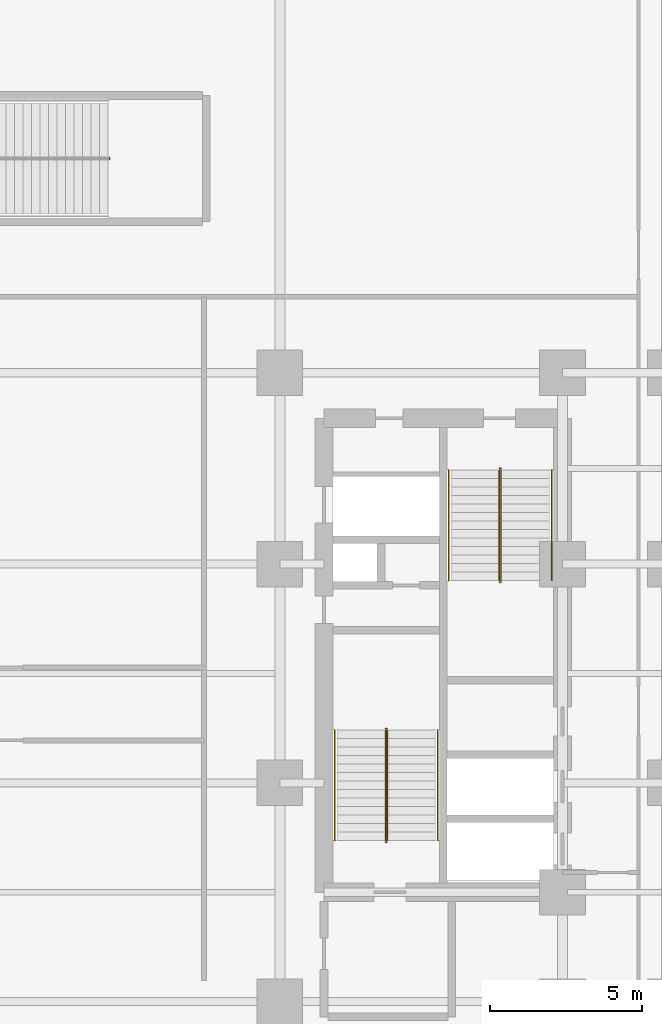
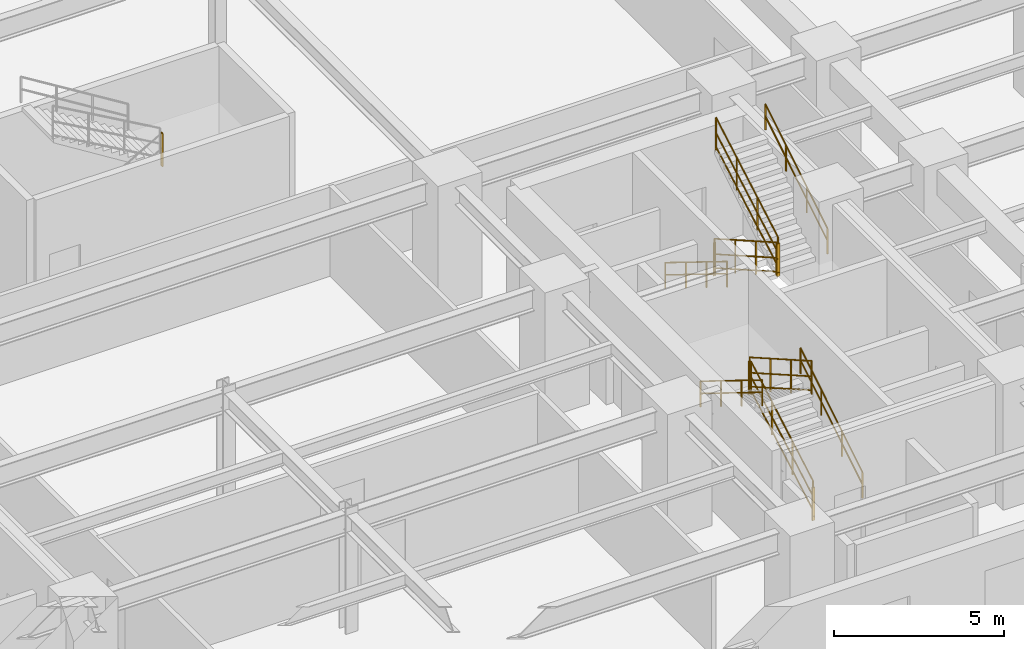
# One storey, part 14 of 15: 13 railings.
"""IFC4 building model written with IfcOpenShell, lengths in metres."""

from ifc_helpers import new_model, entity, si_unit, converted_unit, direction, frame, origin_with_axes, origin_2d_with_axis, place, context, subcontext, project, spatial, rectangle, circle, extrude, material, type_object, element, save


model = new_model("IFC4")

# Units and contexts
model_context = context("Model", 3, precision=1e-05, world=origin_with_axes(), true_north=direction((0.0, 1.0)))
body_context = subcontext(model_context, "Body", "Model", "MODEL_VIEW")
ifc_project = project(units=[si_unit("LENGTHUNIT", "METRE"), si_unit("AREAUNIT", "SQUARE_METRE"), si_unit("VOLUMEUNIT", "CUBIC_METRE"), converted_unit("PLANEANGLEUNIT", "DEGREE", entity("IfcPlaneAngleMeasure", 0.017453292519943295), si_unit("PLANEANGLEUNIT", "RADIAN"), dimensions=[0, 0, 0, 0, 0, 0, 0]), si_unit("MASSUNIT", "GRAM", prefix="KILO"), si_unit("THERMODYNAMICTEMPERATUREUNIT", "KELVIN")], contexts=[model_context])

# Site, building, storey
site_placement = place(None, origin_with_axes())
site = spatial("IfcSite", under=ifc_project, at=site_placement, CompositionType="ELEMENT")
building_placement = place(site_placement, origin_with_axes())
building = spatial("IfcBuilding", under=site, at=building_placement, Name="Varnlund Millrace Tower", CompositionType="ELEMENT")
storey_placement = place(building_placement, frame((0.0, 0.0, 10.8), z_axis=(0.0, 0.0, 1.0), x_axis=(1.0, 0.0, 0.0)))
storey = spatial("IfcBuildingStorey", under=building, at=storey_placement, Name="L02", CompositionType="ELEMENT", Elevation=10.8)

# Railings
ifc_material_1 = material(Name="Painted steel stair well balustrade guard", Category="steel")
railing_type_1 = type_object("IfcRailingType", Name="Type-StairGuard-1150", PredefinedType="GUARDRAIL", material=ifc_material_1)
railing_1_placement = place(storey_placement, frame((0.0, 0.0, -10.8), z_axis=(0.0, 0.0, 1.0), x_axis=(1.0, 0.0, 0.0)))
element("IfcRailing", 1, at=railing_1_placement, inside=storey, type_object=railing_type_1, Name="Type-StairGuard-1150", PredefinedType="GUARDRAIL", context=body_context, shape_type="SweptSolid", body=[
    extrude(circle(Radius=0.024, at=origin_2d_with_axis()), frame((42.275, 8.9, 12.123077), z_axis=(0.0, 0.868559, 0.495585), x_axis=(-1.0, 0.0, 0.0)), (0.0, 0.0, 1.0), 4.190848),
    extrude(circle(Radius=0.024, at=origin_2d_with_axis()), frame((42.275, 8.9, 11.073077), z_axis=(0.0, 0.868559, 0.495585), x_axis=(-1.0, 0.0, 0.0)), (0.0, 0.0, 1.0), 4.190848),
    extrude(circle(Radius=0.024, at=origin_2d_with_axis()), frame((42.275, 8.9, 11.571077), z_axis=(0.0, 0.868559, 0.495585), x_axis=(-1.0, 0.0, 0.0)), (0.0, 0.0, 1.0), 4.190848),
    extrude(rectangle(XDim=0.04, YDim=0.04, at=origin_2d_with_axis()), frame((42.275, 8.9, 10.933077), z_axis=(0.0, 0.0, 1.0), x_axis=(1.0, 0.0, 0.0)), (0.0, 0.0, 1.0), 1.19),
    extrude(rectangle(XDim=0.04, YDim=0.04, at=origin_2d_with_axis()), frame((42.275, 10.113333, 11.625385), z_axis=(0.0, 0.0, 1.0), x_axis=(1.0, 0.0, 0.0)), (0.0, 0.0, 1.0), 1.19),
    extrude(rectangle(XDim=0.04, YDim=0.04, at=origin_2d_with_axis()), frame((42.275, 11.326667, 12.317692), z_axis=(0.0, 0.0, 1.0), x_axis=(1.0, 0.0, 0.0)), (0.0, 0.0, 1.0), 1.19),
    extrude(rectangle(XDim=0.04, YDim=0.04, at=origin_2d_with_axis()), frame((42.275, 12.54, 13.01), z_axis=(0.0, 0.0, 1.0), x_axis=(1.0, 0.0, 0.0)), (0.0, 0.0, 1.0), 1.19),
])
railing_2_placement = place(storey_placement, frame((0.0, 0.0, -10.8), z_axis=(0.0, 0.0, 1.0), x_axis=(1.0, 0.0, 0.0)))
element("IfcRailing", 2, at=railing_2_placement, inside=storey, type_object=railing_type_1, Name="Type-StairGuard-1150", PredefinedType="GUARDRAIL", context=body_context, shape_type="SweptSolid", body=[
    extrude(circle(Radius=0.024, at=origin_2d_with_axis()), frame((42.225, 12.59, 14.2), z_axis=(1.0, 0.0, 0.0), x_axis=(0.0, 1.0, 0.0)), (0.0, 0.0, 1.0), 0.05),
    extrude(circle(Radius=0.024, at=origin_2d_with_axis()), frame((42.225, 12.59, 13.15), z_axis=(1.0, 0.0, 0.0), x_axis=(0.0, 1.0, 0.0)), (0.0, 0.0, 1.0), 0.05),
    extrude(circle(Radius=0.024, at=origin_2d_with_axis()), frame((42.225, 12.59, 13.648), z_axis=(1.0, 0.0, 0.0), x_axis=(0.0, 1.0, 0.0)), (0.0, 0.0, 1.0), 0.05),
    extrude(rectangle(XDim=0.04, YDim=0.04, at=origin_2d_with_axis()), frame((42.225, 12.59, 13.01), z_axis=(0.0, 0.0, 1.0), x_axis=(1.0, 0.0, 0.0)), (0.0, 0.0, 1.0), 1.19),
    extrude(rectangle(XDim=0.04, YDim=0.04, at=origin_2d_with_axis()), frame((42.275, 12.59, 13.01), z_axis=(0.0, 0.0, 1.0), x_axis=(1.0, 0.0, 0.0)), (0.0, 0.0, 1.0), 1.19),
])
railing_3_placement = place(storey_placement, frame((0.0, 0.0, -10.8), z_axis=(0.0, 0.0, 1.0), x_axis=(1.0, 0.0, 0.0)))
element("IfcRailing", 3, at=railing_3_placement, inside=storey, type_object=railing_type_1, Name="Type-StairGuard-1150", PredefinedType="GUARDRAIL", context=body_context, shape_type="SweptSolid", body=[
    extrude(circle(Radius=0.024, at=origin_2d_with_axis()), frame((42.225, 12.54, 14.373077), z_axis=(0.0, -0.868559, 0.495585), x_axis=(1.0, 0.0, 0.0)), (0.0, 0.0, 1.0), 4.190848),
    extrude(circle(Radius=0.024, at=origin_2d_with_axis()), frame((42.225, 12.54, 13.323077), z_axis=(0.0, -0.868559, 0.495585), x_axis=(1.0, 0.0, 0.0)), (0.0, 0.0, 1.0), 4.190848),
    extrude(circle(Radius=0.024, at=origin_2d_with_axis()), frame((42.225, 12.54, 13.821077), z_axis=(0.0, -0.868559, 0.495585), x_axis=(1.0, 0.0, 0.0)), (0.0, 0.0, 1.0), 4.190848),
    extrude(rectangle(XDim=0.04, YDim=0.04, at=origin_2d_with_axis()), frame((42.225, 12.54, 13.183077), z_axis=(0.0, 0.0, 1.0), x_axis=(1.0, 0.0, 0.0)), (0.0, 0.0, 1.0), 1.19),
    extrude(rectangle(XDim=0.04, YDim=0.04, at=origin_2d_with_axis()), frame((42.225, 11.326667, 13.875385), z_axis=(0.0, 0.0, 1.0), x_axis=(1.0, 0.0, 0.0)), (0.0, 0.0, 1.0), 1.19),
    extrude(rectangle(XDim=0.04, YDim=0.04, at=origin_2d_with_axis()), frame((42.225, 10.113333, 14.567692), z_axis=(0.0, 0.0, 1.0), x_axis=(1.0, 0.0, 0.0)), (0.0, 0.0, 1.0), 1.19),
    extrude(rectangle(XDim=0.04, YDim=0.04, at=origin_2d_with_axis()), frame((42.225, 8.9, 15.26), z_axis=(0.0, 0.0, 1.0), x_axis=(1.0, 0.0, 0.0)), (0.0, 0.0, 1.0), 1.19),
])
railing_4_placement = place(storey_placement, frame((0.0, 0.0, -10.8), z_axis=(0.0, 0.0, 1.0), x_axis=(1.0, 0.0, 0.0)))
element("IfcRailing", 4, at=railing_4_placement, inside=storey, type_object=railing_type_1, Name="Type-StairGuard-1150", PredefinedType="GUARDRAIL", context=body_context, shape_type="SweptSolid", body=[
    extrude(circle(Radius=0.024, at=origin_2d_with_axis()), frame((42.225, 8.85, 11.95), z_axis=(1.0, 0.0, 0.0), x_axis=(0.0, 1.0, 0.0)), (0.0, 0.0, 1.0), 0.05),
    extrude(circle(Radius=0.024, at=origin_2d_with_axis()), frame((42.225, 8.85, 10.9), z_axis=(1.0, 0.0, 0.0), x_axis=(0.0, 1.0, 0.0)), (0.0, 0.0, 1.0), 0.05),
    extrude(circle(Radius=0.024, at=origin_2d_with_axis()), frame((42.225, 8.85, 11.398), z_axis=(1.0, 0.0, 0.0), x_axis=(0.0, 1.0, 0.0)), (0.0, 0.0, 1.0), 0.05),
    extrude(rectangle(XDim=0.04, YDim=0.04, at=origin_2d_with_axis()), frame((42.225, 8.85, 10.76), z_axis=(0.0, 0.0, 1.0), x_axis=(1.0, 0.0, 0.0)), (0.0, 0.0, 1.0), 1.19),
    extrude(rectangle(XDim=0.04, YDim=0.04, at=origin_2d_with_axis()), frame((42.275, 8.85, 10.76), z_axis=(0.0, 0.0, 1.0), x_axis=(1.0, 0.0, 0.0)), (0.0, 0.0, 1.0), 1.19),
])
railing_5_placement = place(storey_placement, frame((0.0, 0.0, -10.8), z_axis=(0.0, 0.0, 1.0), x_axis=(1.0, 0.0, 0.0)))
element("IfcRailing", 5, at=railing_5_placement, inside=storey, type_object=railing_type_1, Name="Type-StairGuard-1150", PredefinedType="GUARDRAIL", context=body_context, shape_type="SweptSolid", body=[
    extrude(circle(Radius=0.024, at=origin_2d_with_axis()), frame((45.975, 21.1, 12.123077), z_axis=(0.0, -0.868559, 0.495585), x_axis=(1.0, 0.0, 0.0)), (0.0, 0.0, 1.0), 4.190848),
    extrude(circle(Radius=0.024, at=origin_2d_with_axis()), frame((45.975, 21.1, 11.073077), z_axis=(0.0, -0.868559, 0.495585), x_axis=(1.0, 0.0, 0.0)), (0.0, 0.0, 1.0), 4.190848),
    extrude(circle(Radius=0.024, at=origin_2d_with_axis()), frame((45.975, 21.1, 11.571077), z_axis=(0.0, -0.868559, 0.495585), x_axis=(1.0, 0.0, 0.0)), (0.0, 0.0, 1.0), 4.190848),
    extrude(rectangle(XDim=0.04, YDim=0.04, at=origin_2d_with_axis()), frame((45.975, 21.1, 10.933077), z_axis=(0.0, 0.0, 1.0), x_axis=(1.0, 0.0, 0.0)), (0.0, 0.0, 1.0), 1.19),
    extrude(rectangle(XDim=0.04, YDim=0.04, at=origin_2d_with_axis()), frame((45.975, 19.886667, 11.625385), z_axis=(0.0, 0.0, 1.0), x_axis=(1.0, 0.0, 0.0)), (0.0, 0.0, 1.0), 1.19),
    extrude(rectangle(XDim=0.04, YDim=0.04, at=origin_2d_with_axis()), frame((45.975, 18.673333, 12.317692), z_axis=(0.0, 0.0, 1.0), x_axis=(1.0, 0.0, 0.0)), (0.0, 0.0, 1.0), 1.19),
    extrude(rectangle(XDim=0.04, YDim=0.04, at=origin_2d_with_axis()), frame((45.975, 17.46, 13.01), z_axis=(0.0, 0.0, 1.0), x_axis=(1.0, 0.0, 0.0)), (0.0, 0.0, 1.0), 1.19),
])
railing_6_placement = place(storey_placement, frame((0.0, 0.0, -10.8), z_axis=(0.0, 0.0, 1.0), x_axis=(1.0, 0.0, 0.0)))
element("IfcRailing", 6, at=railing_6_placement, inside=storey, type_object=railing_type_1, Name="Type-StairGuard-1150", PredefinedType="GUARDRAIL", context=body_context, shape_type="SweptSolid", body=[
    extrude(circle(Radius=0.024, at=origin_2d_with_axis()), frame((46.025, 17.41, 14.2), z_axis=(-1.0, 0.0, 0.0), x_axis=(0.0, -1.0, 0.0)), (0.0, 0.0, 1.0), 0.05),
    extrude(circle(Radius=0.024, at=origin_2d_with_axis()), frame((46.025, 17.41, 13.15), z_axis=(-1.0, 0.0, 0.0), x_axis=(0.0, -1.0, 0.0)), (0.0, 0.0, 1.0), 0.05),
    extrude(circle(Radius=0.024, at=origin_2d_with_axis()), frame((46.025, 17.41, 13.648), z_axis=(-1.0, 0.0, 0.0), x_axis=(0.0, -1.0, 0.0)), (0.0, 0.0, 1.0), 0.05),
    extrude(rectangle(XDim=0.04, YDim=0.04, at=origin_2d_with_axis()), frame((46.025, 17.41, 13.01), z_axis=(0.0, 0.0, 1.0), x_axis=(1.0, 0.0, 0.0)), (0.0, 0.0, 1.0), 1.19),
    extrude(rectangle(XDim=0.04, YDim=0.04, at=origin_2d_with_axis()), frame((45.975, 17.41, 13.01), z_axis=(0.0, 0.0, 1.0), x_axis=(1.0, 0.0, 0.0)), (0.0, 0.0, 1.0), 1.19),
])
railing_7_placement = place(storey_placement, frame((0.0, 0.0, -10.8), z_axis=(0.0, 0.0, 1.0), x_axis=(1.0, 0.0, 0.0)))
element("IfcRailing", 7, at=railing_7_placement, inside=storey, type_object=railing_type_1, Name="Type-StairGuard-1150", PredefinedType="GUARDRAIL", context=body_context, shape_type="SweptSolid", body=[
    extrude(circle(Radius=0.024, at=origin_2d_with_axis()), frame((46.025, 17.46, 14.373077), z_axis=(0.0, 0.868559, 0.495585), x_axis=(-1.0, 0.0, 0.0)), (0.0, 0.0, 1.0), 4.190848),
    extrude(circle(Radius=0.024, at=origin_2d_with_axis()), frame((46.025, 17.46, 13.323077), z_axis=(0.0, 0.868559, 0.495585), x_axis=(-1.0, 0.0, 0.0)), (0.0, 0.0, 1.0), 4.190848),
    extrude(circle(Radius=0.024, at=origin_2d_with_axis()), frame((46.025, 17.46, 13.821077), z_axis=(0.0, 0.868559, 0.495585), x_axis=(-1.0, 0.0, 0.0)), (0.0, 0.0, 1.0), 4.190848),
    extrude(rectangle(XDim=0.04, YDim=0.04, at=origin_2d_with_axis()), frame((46.025, 17.46, 13.183077), z_axis=(0.0, 0.0, 1.0), x_axis=(1.0, 0.0, 0.0)), (0.0, 0.0, 1.0), 1.19),
    extrude(rectangle(XDim=0.04, YDim=0.04, at=origin_2d_with_axis()), frame((46.025, 18.673333, 13.875385), z_axis=(0.0, 0.0, 1.0), x_axis=(1.0, 0.0, 0.0)), (0.0, 0.0, 1.0), 1.19),
    extrude(rectangle(XDim=0.04, YDim=0.04, at=origin_2d_with_axis()), frame((46.025, 19.886667, 14.567692), z_axis=(0.0, 0.0, 1.0), x_axis=(1.0, 0.0, 0.0)), (0.0, 0.0, 1.0), 1.19),
    extrude(rectangle(XDim=0.04, YDim=0.04, at=origin_2d_with_axis()), frame((46.025, 21.1, 15.26), z_axis=(0.0, 0.0, 1.0), x_axis=(1.0, 0.0, 0.0)), (0.0, 0.0, 1.0), 1.19),
])
railing_8_placement = place(storey_placement, frame((0.0, 0.0, -10.8), z_axis=(0.0, 0.0, 1.0), x_axis=(1.0, 0.0, 0.0)))
element("IfcRailing", 8, at=railing_8_placement, inside=storey, type_object=railing_type_1, Name="Type-StairGuard-1150", PredefinedType="GUARDRAIL", context=body_context, shape_type="SweptSolid", body=[
    extrude(circle(Radius=0.024, at=origin_2d_with_axis()), frame((46.025, 21.15, 11.95), z_axis=(-1.0, 0.0, 0.0), x_axis=(0.0, -1.0, 0.0)), (0.0, 0.0, 1.0), 0.05),
    extrude(circle(Radius=0.024, at=origin_2d_with_axis()), frame((46.025, 21.15, 10.9), z_axis=(-1.0, 0.0, 0.0), x_axis=(0.0, -1.0, 0.0)), (0.0, 0.0, 1.0), 0.05),
    extrude(circle(Radius=0.024, at=origin_2d_with_axis()), frame((46.025, 21.15, 11.398), z_axis=(-1.0, 0.0, 0.0), x_axis=(0.0, -1.0, 0.0)), (0.0, 0.0, 1.0), 0.05),
    extrude(rectangle(XDim=0.04, YDim=0.04, at=origin_2d_with_axis()), frame((46.025, 21.15, 10.76), z_axis=(0.0, 0.0, 1.0), x_axis=(1.0, 0.0, 0.0)), (0.0, 0.0, 1.0), 1.19),
    extrude(rectangle(XDim=0.04, YDim=0.04, at=origin_2d_with_axis()), frame((45.975, 21.15, 10.76), z_axis=(0.0, 0.0, 1.0), x_axis=(1.0, 0.0, 0.0)), (0.0, 0.0, 1.0), 1.19),
])
railing_9_placement = place(storey_placement, frame((0.0, 0.0, -10.8), z_axis=(0.0, 0.0, 1.0), x_axis=(1.0, 0.0, 0.0)))
element("IfcRailing", 9, at=railing_9_placement, inside=storey, type_object=railing_type_1, Name="Type-StairGuard-1150", PredefinedType="GUARDRAIL", context=body_context, shape_type="SweptSolid", body=[
    extrude(circle(Radius=0.024, at=origin_2d_with_axis()), frame((33.14, 31.375, 14.2), z_axis=(0.0, -1.0, 0.0), x_axis=(1.0, 0.0, 0.0)), (0.0, 0.0, 1.0), 0.05),
    extrude(circle(Radius=0.024, at=origin_2d_with_axis()), frame((33.14, 31.375, 13.15), z_axis=(0.0, -1.0, 0.0), x_axis=(1.0, 0.0, 0.0)), (0.0, 0.0, 1.0), 0.05),
    extrude(circle(Radius=0.024, at=origin_2d_with_axis()), frame((33.14, 31.375, 13.648), z_axis=(0.0, -1.0, 0.0), x_axis=(1.0, 0.0, 0.0)), (0.0, 0.0, 1.0), 0.05),
    extrude(rectangle(XDim=0.04, YDim=0.04, at=origin_2d_with_axis()), frame((33.14, 31.375, 13.01), z_axis=(0.0, 0.0, 1.0), x_axis=(1.0, 0.0, 0.0)), (0.0, 0.0, 1.0), 1.19),
    extrude(rectangle(XDim=0.04, YDim=0.04, at=origin_2d_with_axis()), frame((33.14, 31.325, 13.01), z_axis=(0.0, 0.0, 1.0), x_axis=(1.0, 0.0, 0.0)), (0.0, 0.0, 1.0), 1.19),
])
ifc_material_2 = material(Name="Brushed architectural bronze stair handrail", Category="aluminium")
railing_type_2 = type_object("IfcRailingType", Name="Type-StairHandrail-900", PredefinedType="HANDRAIL", material=ifc_material_2)
railing_10_placement = place(storey_placement, frame((0.0, 0.0, -10.8), z_axis=(0.0, 0.0, 1.0), x_axis=(1.0, 0.0, 0.0)))
element("IfcRailing", 10, at=railing_10_placement, inside=storey, type_object=railing_type_2, Name="Type-StairHandrail-900", PredefinedType="HANDRAIL", context=body_context, shape_type="SweptSolid", body=[
    extrude(circle(Radius=0.024, at=origin_2d_with_axis()), frame((43.95, 8.9, 11.852662), z_axis=(0.0, 0.850614, 0.525791), x_axis=(-1.0, 0.0, 0.0)), (0.0, 0.0, 1.0), 4.279264),
    extrude(circle(Radius=0.024, at=origin_2d_with_axis()), frame((43.95, 8.9, 11.41287), z_axis=(0.0, 0.850614, 0.525791), x_axis=(-1.0, 0.0, 0.0)), (0.0, 0.0, 1.0), 4.279264),
    extrude(rectangle(XDim=0.04, YDim=0.04, at=origin_2d_with_axis()), frame((43.95, 8.9, 10.933077), z_axis=(0.0, 0.0, 1.0), x_axis=(1.0, 0.0, 0.0)), (0.0, 0.0, 1.0), 0.919585),
    extrude(rectangle(XDim=0.04, YDim=0.04, at=origin_2d_with_axis()), frame((43.95, 10.113333, 11.683077), z_axis=(0.0, 0.0, 1.0), x_axis=(1.0, 0.0, 0.0)), (0.0, 0.0, 1.0), 0.919585),
    extrude(rectangle(XDim=0.04, YDim=0.04, at=origin_2d_with_axis()), frame((43.95, 11.326667, 12.433077), z_axis=(0.0, 0.0, 1.0), x_axis=(1.0, 0.0, 0.0)), (0.0, 0.0, 1.0), 0.919585),
    extrude(rectangle(XDim=0.04, YDim=0.04, at=origin_2d_with_axis()), frame((43.95, 12.54, 13.183077), z_axis=(0.0, 0.0, 1.0), x_axis=(1.0, 0.0, 0.0)), (0.0, 0.0, 1.0), 0.919585),
])
railing_11_placement = place(storey_placement, frame((0.0, 0.0, -10.8), z_axis=(0.0, 0.0, 1.0), x_axis=(1.0, 0.0, 0.0)))
element("IfcRailing", 11, at=railing_11_placement, inside=storey, type_object=railing_type_2, Name="Type-StairHandrail-900", PredefinedType="HANDRAIL", context=body_context, shape_type="SweptSolid", body=[
    extrude(circle(Radius=0.024, at=origin_2d_with_axis()), frame((40.55, 12.54, 14.102662), z_axis=(0.0, -0.850614, 0.525791), x_axis=(1.0, 0.0, 0.0)), (0.0, 0.0, 1.0), 4.279264),
    extrude(circle(Radius=0.024, at=origin_2d_with_axis()), frame((40.55, 12.54, 13.66287), z_axis=(0.0, -0.850614, 0.525791), x_axis=(1.0, 0.0, 0.0)), (0.0, 0.0, 1.0), 4.279264),
    extrude(rectangle(XDim=0.04, YDim=0.04, at=origin_2d_with_axis()), frame((40.55, 12.54, 13.183077), z_axis=(0.0, 0.0, 1.0), x_axis=(1.0, 0.0, 0.0)), (0.0, 0.0, 1.0), 0.919585),
    extrude(rectangle(XDim=0.04, YDim=0.04, at=origin_2d_with_axis()), frame((40.55, 11.326667, 13.933077), z_axis=(0.0, 0.0, 1.0), x_axis=(1.0, 0.0, 0.0)), (0.0, 0.0, 1.0), 0.919585),
    extrude(rectangle(XDim=0.04, YDim=0.04, at=origin_2d_with_axis()), frame((40.55, 10.113333, 14.683077), z_axis=(0.0, 0.0, 1.0), x_axis=(1.0, 0.0, 0.0)), (0.0, 0.0, 1.0), 0.919585),
    extrude(rectangle(XDim=0.04, YDim=0.04, at=origin_2d_with_axis()), frame((40.55, 8.9, 15.433077), z_axis=(0.0, 0.0, 1.0), x_axis=(1.0, 0.0, 0.0)), (0.0, 0.0, 1.0), 0.919585),
])
railing_12_placement = place(storey_placement, frame((0.0, 0.0, -10.8), z_axis=(0.0, 0.0, 1.0), x_axis=(1.0, 0.0, 0.0)))
element("IfcRailing", 12, at=railing_12_placement, inside=storey, type_object=railing_type_2, Name="Type-StairHandrail-900", PredefinedType="HANDRAIL", context=body_context, shape_type="SweptSolid", body=[
    extrude(circle(Radius=0.024, at=origin_2d_with_axis()), frame((44.3, 21.1, 11.852662), z_axis=(0.0, -0.850614, 0.525791), x_axis=(1.0, 0.0, 0.0)), (0.0, 0.0, 1.0), 4.279264),
    extrude(circle(Radius=0.024, at=origin_2d_with_axis()), frame((44.3, 21.1, 11.41287), z_axis=(0.0, -0.850614, 0.525791), x_axis=(1.0, 0.0, 0.0)), (0.0, 0.0, 1.0), 4.279264),
    extrude(rectangle(XDim=0.04, YDim=0.04, at=origin_2d_with_axis()), frame((44.3, 21.1, 10.933077), z_axis=(0.0, 0.0, 1.0), x_axis=(1.0, 0.0, 0.0)), (0.0, 0.0, 1.0), 0.919585),
    extrude(rectangle(XDim=0.04, YDim=0.04, at=origin_2d_with_axis()), frame((44.3, 19.886667, 11.683077), z_axis=(0.0, 0.0, 1.0), x_axis=(1.0, 0.0, 0.0)), (0.0, 0.0, 1.0), 0.919585),
    extrude(rectangle(XDim=0.04, YDim=0.04, at=origin_2d_with_axis()), frame((44.3, 18.673333, 12.433077), z_axis=(0.0, 0.0, 1.0), x_axis=(1.0, 0.0, 0.0)), (0.0, 0.0, 1.0), 0.919585),
    extrude(rectangle(XDim=0.04, YDim=0.04, at=origin_2d_with_axis()), frame((44.3, 17.46, 13.183077), z_axis=(0.0, 0.0, 1.0), x_axis=(1.0, 0.0, 0.0)), (0.0, 0.0, 1.0), 0.919585),
])
railing_13_placement = place(storey_placement, frame((0.0, 0.0, -10.8), z_axis=(0.0, 0.0, 1.0), x_axis=(1.0, 0.0, 0.0)))
element("IfcRailing", 13, at=railing_13_placement, inside=storey, type_object=railing_type_2, Name="Type-StairHandrail-900", PredefinedType="HANDRAIL", context=body_context, shape_type="SweptSolid", body=[
    extrude(circle(Radius=0.024, at=origin_2d_with_axis()), frame((47.7, 17.46, 14.102662), z_axis=(0.0, 0.850614, 0.525791), x_axis=(-1.0, 0.0, 0.0)), (0.0, 0.0, 1.0), 4.279264),
    extrude(circle(Radius=0.024, at=origin_2d_with_axis()), frame((47.7, 17.46, 13.66287), z_axis=(0.0, 0.850614, 0.525791), x_axis=(-1.0, 0.0, 0.0)), (0.0, 0.0, 1.0), 4.279264),
    extrude(rectangle(XDim=0.04, YDim=0.04, at=origin_2d_with_axis()), frame((47.7, 17.46, 13.183077), z_axis=(0.0, 0.0, 1.0), x_axis=(1.0, 0.0, 0.0)), (0.0, 0.0, 1.0), 0.919585),
    extrude(rectangle(XDim=0.04, YDim=0.04, at=origin_2d_with_axis()), frame((47.7, 18.673333, 13.933077), z_axis=(0.0, 0.0, 1.0), x_axis=(1.0, 0.0, 0.0)), (0.0, 0.0, 1.0), 0.919585),
    extrude(rectangle(XDim=0.04, YDim=0.04, at=origin_2d_with_axis()), frame((47.7, 19.886667, 14.683077), z_axis=(0.0, 0.0, 1.0), x_axis=(1.0, 0.0, 0.0)), (0.0, 0.0, 1.0), 0.919585),
    extrude(rectangle(XDim=0.04, YDim=0.04, at=origin_2d_with_axis()), frame((47.7, 21.1, 15.433077), z_axis=(0.0, 0.0, 1.0), x_axis=(1.0, 0.0, 0.0)), (0.0, 0.0, 1.0), 0.919585),
])

save(model, "model.ifc")
